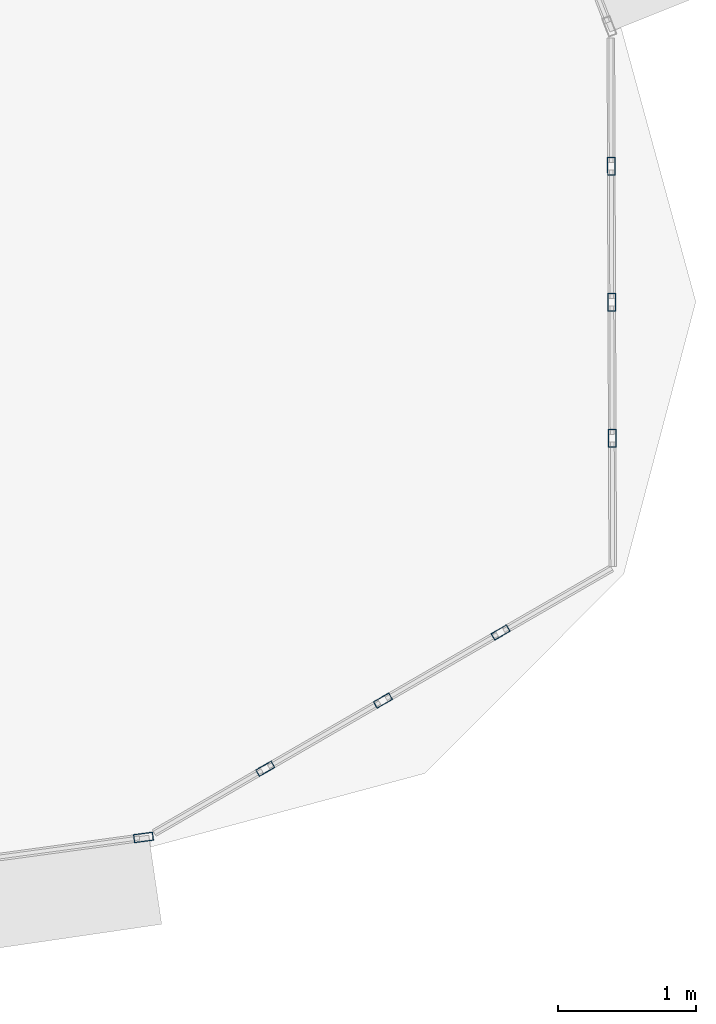
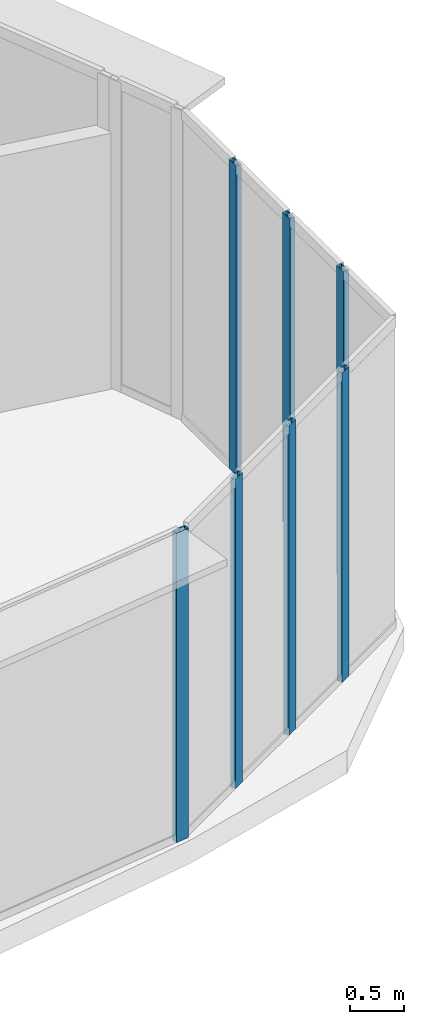
# One storey, part 14 of 40: 7 members, 3 elements without a shape of their own.
"""IFC4 building model written with IfcOpenShell, lengths in metres."""

from ifc_helpers import new_model, si_unit, direction, frame, origin, origin_2d, place, context, subcontext, project, spatial, hollow_rectangle, extrude, source, transform, mapped, material, layer, layer_set, material_profile, profile_set, type_object, element, aggregate, save


model = new_model("IFC4")

# Units and contexts
model_context = context("Model", 3, precision=1e-05, world=origin(), true_north=direction((0.0, 1.0)))
body_context = subcontext(model_context, "Body", "Model", "MODEL_VIEW")
ifc_project = project(units=[si_unit("LENGTHUNIT", "METRE"), si_unit("AREAUNIT", "SQUARE_METRE"), si_unit("VOLUMEUNIT", "CUBIC_METRE"), si_unit("PLANEANGLEUNIT", "RADIAN"), si_unit("MASSUNIT", "GRAM", prefix="KILO"), si_unit("THERMODYNAMICTEMPERATUREUNIT", "KELVIN"), si_unit("POWERUNIT", "WATT")], contexts=[model_context])

# Site, building, storey
site_placement = place(None, origin())
site = spatial("IfcSite", under=ifc_project, at=site_placement, CompositionType="ELEMENT")
building_placement = place(site_placement, origin())
building = spatial("IfcBuilding", under=site, at=building_placement, Name="Yunzhuo Pagoda Commons", CompositionType="ELEMENT")
storey_placement = place(building_placement, frame((0.0, 0.0, 292.47998046875)))
storey = spatial("IfcBuildingStorey", under=building, at=storey_placement, Name="L73", CompositionType="ELEMENT", Elevation=292.47998046875)

# Curtain wall, member
ifc_material = material(Name="Anodized aluminium 6063-T6", Category="aluminium")
ifc_layer_1 = layer(ifc_material, 0.139892578125)
ifc_layer_set_1 = layer_set([ifc_layer_1], Name="Anodized aluminium 6063-T6")
curtain_wall_type_1 = type_object("IfcCurtainWallType", Name="CW-HI High-Zone Ribbon Curtain Wall", PredefinedType="NOTDEFINED", material=ifc_layer_set_1)
curtain_wall_1_placement = place(storey_placement, origin())
curtain_wall_1 = element("IfcCurtainWall", 1, at=curtain_wall_1_placement, inside=storey, type_object=curtain_wall_type_1, Name="L73 curtain wall CW-L73-F1B5", PredefinedType="NOTDEFINED")
ifc_material_profile_1 = material_profile(ifc_material, hollow_rectangle(XDim=0.06005859375, YDim=0.139892578125, WallThickness=0.00341796875, at=origin_2d()), Name="Anodized aluminium 6063-T6")
ifc_profile_set_1 = profile_set([ifc_material_profile_1], Name="Anodized aluminium 6063-T6")
member_type_1 = type_object("IfcMemberType", Name="CW-HI-M Mullion RHS 140x60x3.5", PredefinedType="MULLION", material=ifc_profile_set_1)
shared_shape_1 = source(origin(), body_context, "Body", "SweptSolid", [
    extrude(hollow_rectangle(XDim=0.06005859375, YDim=0.139892578125, WallThickness=0.00341796875, at=origin_2d()), origin(), (0.0, 0.0, 1.0), 3.4697265625),
])
member_1_placement = place(storey_placement, frame((76.270263671875, 21.540283203125, 0.000244140625), z_axis=(0.0, 0.0, 1.0), x_axis=(-0.134853980826, 0.99086548222, 0.0)))
member_1 = element("IfcMember", 2, at=member_1_placement, type_object=member_type_1, Name="CW mullion 2", PredefinedType="MULLION", context=body_context, shape_type="MappedRepresentation", body=[
    mapped(shared_shape_1, transform((0.0, 0.0, 0.0), scale=1.0)),
])
aggregate(curtain_wall_1, [member_1])

# Curtain wall, members
ifc_layer_2 = layer(ifc_material, 0.1298828125)
ifc_layer_set_2 = layer_set([ifc_layer_2], Name="Anodized aluminium 6063-T6")
curtain_wall_type_2 = type_object("IfcCurtainWallType", Name="CW-VTX Rounded Corner Curtain Wall", PredefinedType="NOTDEFINED", material=ifc_layer_set_2)
curtain_wall_2_placement = place(storey_placement, origin())
curtain_wall_2 = element("IfcCurtainWall", 3, at=curtain_wall_2_placement, inside=storey, type_object=curtain_wall_type_2, Name="L73 curtain wall CW-L73-VTX2S1", PredefinedType="NOTDEFINED")
ifc_material_profile_2 = material_profile(ifc_material, hollow_rectangle(XDim=0.054931640625, YDim=0.1298828125, WallThickness=0.00341796875, at=origin_2d()), Name="Anodized aluminium 6063-T6")
ifc_profile_set_2 = profile_set([ifc_material_profile_2], Name="Anodized aluminium 6063-T6")
member_type_2 = type_object("IfcMemberType", Name="CW-VTX-M Mullion RHS 130x55x3.5", PredefinedType="MULLION", material=ifc_profile_set_2)
shared_shape_2 = source(origin(), body_context, "Body", "SweptSolid", [
    extrude(hollow_rectangle(XDim=0.054931640625, YDim=0.1298828125, WallThickness=0.00341796875, at=origin_2d()), origin(), (0.0, 0.0, 1.0), 3.4697265625),
])
member_2_placement = place(storey_placement, frame((77.149658203125, 22.036376953125, 0.000244140625), z_axis=(0.0, 0.0, 1.0), x_axis=(-0.501017201245, 0.86543732532, 0.0)))
member_2 = element("IfcMember", 4, at=member_2_placement, type_object=member_type_2, Name="CW mullion 2", PredefinedType="MULLION", context=body_context, shape_type="MappedRepresentation", body=[
    mapped(shared_shape_2, transform((0.0, 0.0, 0.0), scale=1.0)),
])
member_3_placement = place(storey_placement, frame((77.99951171875, 22.5283203125, 0.000244140625), z_axis=(0.0, 0.0, 1.0), x_axis=(-0.501017201245, 0.86543732532, 0.0)))
member_3 = element("IfcMember", 5, at=member_3_placement, type_object=member_type_2, Name="CW mullion 3", PredefinedType="MULLION", context=body_context, shape_type="MappedRepresentation", body=[
    mapped(shared_shape_2, transform((0.0, 0.0, 0.0), scale=1.0)),
])
member_4_placement = place(storey_placement, frame((78.849365234375, 23.020263671875, 0.000244140625), z_axis=(0.0, 0.0, 1.0), x_axis=(-0.501017201245, 0.86543732532, 0.0)))
member_4 = element("IfcMember", 6, at=member_4_placement, type_object=member_type_2, Name="CW mullion 4", PredefinedType="MULLION", context=body_context, shape_type="MappedRepresentation", body=[
    mapped(shared_shape_2, transform((0.0, 0.0, 0.0), scale=1.0)),
])
aggregate(curtain_wall_2, [member_2, member_3, member_4])

curtain_wall_3_placement = place(storey_placement, origin())
curtain_wall_3 = element("IfcCurtainWall", 7, at=curtain_wall_3_placement, inside=storey, type_object=curtain_wall_type_2, Name="L73 curtain wall CW-L73-VTX2S2", PredefinedType="NOTDEFINED")
member_5_placement = place(storey_placement, frame((79.65576171875, 24.4248046875, 0.000244140625), z_axis=(0.0, 0.0, 1.0), x_axis=(-0.999993556089, -0.003589955472, 0.0)))
member_5 = element("IfcMember", 8, at=member_5_placement, type_object=member_type_2, Name="CW mullion 2", PredefinedType="MULLION", context=body_context, shape_type="MappedRepresentation", body=[
    mapped(shared_shape_2, transform((0.0, 0.0, 0.0), scale=1.0)),
])
member_6_placement = place(storey_placement, frame((79.652099609375, 25.406494140625, 0.000244140625), z_axis=(0.0, 0.0, 1.0), x_axis=(-0.999993556089, -0.003589955472, 0.0)))
member_6 = element("IfcMember", 9, at=member_6_placement, type_object=member_type_2, Name="CW mullion 3", PredefinedType="MULLION", context=body_context, shape_type="MappedRepresentation", body=[
    mapped(shared_shape_2, transform((0.0, 0.0, 0.0), scale=1.0)),
])
member_7_placement = place(storey_placement, frame((79.648681640625, 26.388427734375, 0.000244140625), z_axis=(0.0, 0.0, 1.0), x_axis=(-0.999993556089, -0.003589955472, 0.0)))
member_7 = element("IfcMember", 10, at=member_7_placement, type_object=member_type_2, Name="CW mullion 4", PredefinedType="MULLION", context=body_context, shape_type="MappedRepresentation", body=[
    mapped(shared_shape_2, transform((0.0, 0.0, 0.0), scale=1.0)),
])
aggregate(curtain_wall_3, [member_5, member_6, member_7])

save(model, "model.ifc")
